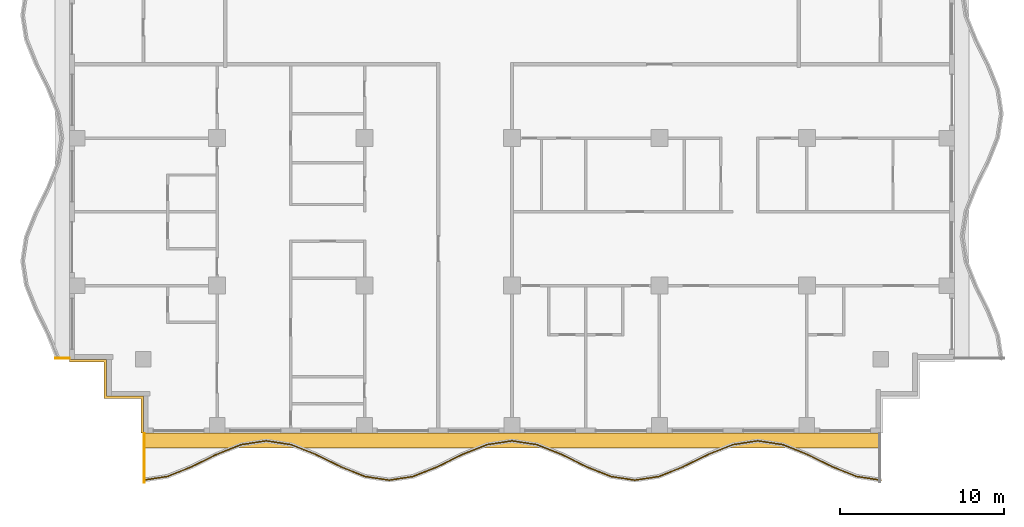
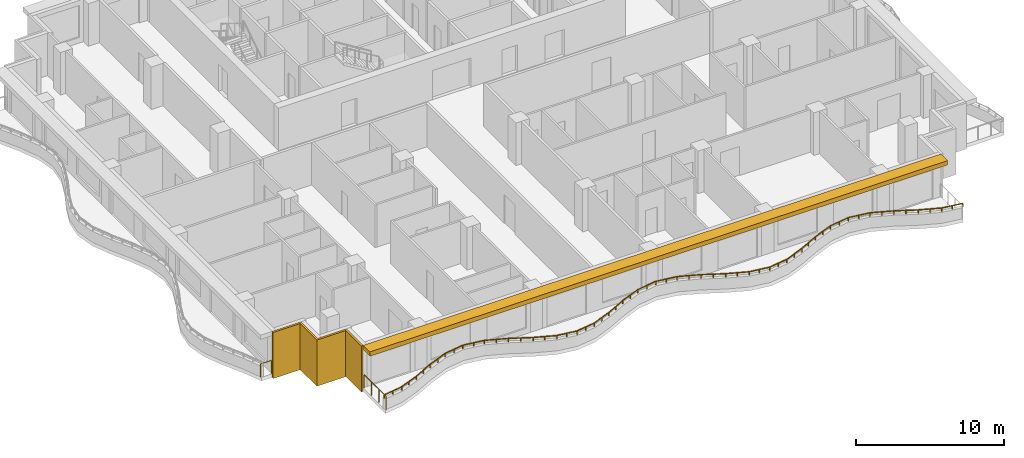
# One storey, part 8 of 11: 3 railings, 2 shading devices.
"""IFC4 building model written with IfcOpenShell, lengths in metres."""

from ifc_helpers import new_model, si_unit, direction, frame, origin, origin_2d, place, context, subcontext, project, spatial, polyline, rectangle, outline, extrude, material, layer, layer_set, type_object, element, save


model = new_model("IFC4")

# Units and contexts
model_context = context("Model", 3, precision=1e-05, world=origin(), true_north=direction((0.0, 1.0)))
body_context = subcontext(model_context, "Body", "Model", "MODEL_VIEW")
ifc_project = project(units=[si_unit("LENGTHUNIT", "METRE"), si_unit("AREAUNIT", "SQUARE_METRE"), si_unit("VOLUMEUNIT", "CUBIC_METRE"), si_unit("PLANEANGLEUNIT", "RADIAN"), si_unit("MASSUNIT", "GRAM", prefix="KILO")], contexts=[model_context])

# Site, building, storey
site_placement = place(None, origin())
site = spatial("IfcSite", under=ifc_project, at=site_placement, CompositionType="ELEMENT")
building_placement = place(site_placement, origin())
building = spatial("IfcBuilding", under=site, at=building_placement, Name="Orbiselva Terraces", CompositionType="ELEMENT")
storey_placement = place(building_placement, frame((0.0, 0.0, 218.6)))
storey = spatial("IfcBuildingStorey", under=building, at=storey_placement, Name="L55", CompositionType="ELEMENT", Elevation=218.6)

# Railings
ifc_material_1 = material(Name="Bonded two-ply safety glass balustrade, stainless steel posts", Category="steel")
railing_type_1 = type_object("IfcRailingType", Name="ENV-BALUSTRADE-1200", PredefinedType="BALUSTRADE", material=ifc_material_1)
railing_1_placement = place(storey_placement, frame((-22.518879, -25.376434, 0.9)))
element("IfcRailing", 1, at=railing_1_placement, inside=storey, type_object=railing_type_1, Name="Balcony balustrade L55 S", PredefinedType="BALUSTRADE", context=body_context, shape_type="SweptSolid", body=[
    extrude(outline(polyline([(0.028868, 0.0), (0.014434, 0.025), (-0.014434, 0.025), (-0.028868, 0.0), (-0.014434, -0.025), (0.014434, -0.025), (0.028868, 0.0)])), frame((0.0, 0.0, 0.275), z_axis=(0.988528552748, 0.151034103443, 0.0), x_axis=(-0.151034103443, 0.988528552748, 0.0)), (0.0, 0.0, 1.0), 1.503038),
    extrude(outline(polyline([(0.028868, 0.0), (0.014434, 0.025), (-0.014434, 0.025), (-0.028868, 0.0), (-0.014434, -0.025), (0.014434, -0.025), (0.028868, 0.0)])), frame((1.485796, 0.22701, 0.275), z_axis=(0.928476561272, 0.371391000387, 0.0), x_axis=(-0.371391000387, 0.928476561272, 0.0)), (0.0, 0.0, 1.0), 1.596261),
    extrude(outline(polyline([(0.028868, 0.0), (0.014434, 0.025), (-0.014434, 0.025), (-0.028868, 0.0), (-0.014434, -0.025), (0.014434, -0.025), (0.028868, 0.0)])), frame((2.967887, 0.819847, 0.275), z_axis=(0.896416672454, 0.443212307306, 0.0), x_axis=(-0.443212307306, 0.896416672454, 0.0)), (0.0, 0.0, 1.0), 1.673329),
    extrude(outline(polyline([(0.028868, 0.0), (0.014434, 0.025), (-0.014434, 0.025), (-0.028868, 0.0), (-0.014434, -0.025), (0.014434, -0.025), (0.028868, 0.0)])), frame((4.467887, 1.561487, 0.275), z_axis=(0.92847681744, 0.371390359967, 0.0), x_axis=(-0.371390359967, 0.92847681744, 0.0)), (0.0, 0.0, 1.0), 1.634838),
    extrude(outline(polyline([(0.028868, 0.0), (0.014434, 0.025), (-0.014434, 0.025), (-0.028868, 0.0), (-0.014434, -0.025), (0.014434, -0.025), (0.028868, 0.0)])), frame((5.985796, 2.16865, 0.275), z_axis=(0.988528536275, 0.151034211256, 0.0), x_axis=(-0.151034211256, 0.988528536275, 0.0)), (0.0, 0.0, 1.0), 1.550874),
    extrude(outline(polyline([(0.028868, 0.0), (0.014434, 0.025), (-0.014434, 0.025), (-0.028868, 0.0), (-0.014434, -0.025), (0.014434, -0.025), (0.028868, 0.0)])), frame((7.518879, 2.402885, 0.275), z_axis=(0.988528536275, -0.151034211256, 0.0), x_axis=(0.151034211256, 0.988528536275, 0.0)), (0.0, 0.0, 1.0), 1.550874),
    extrude(outline(polyline([(0.028868, 0.0), (0.014434, 0.025), (-0.014434, 0.025), (-0.028868, 0.0), (-0.014434, -0.025), (0.014434, -0.025), (0.028868, 0.0)])), frame((9.051962, 2.16865, 0.275), z_axis=(0.92847681744, -0.371390359967, 0.0), x_axis=(0.371390359967, 0.92847681744, 0.0)), (0.0, 0.0, 1.0), 1.634838),
    extrude(outline(polyline([(0.028868, 0.0), (0.014434, 0.025), (-0.014434, 0.025), (-0.028868, 0.0), (-0.014434, -0.025), (0.014434, -0.025), (0.028868, 0.0)])), frame((10.569871, 1.561487, 0.275), z_axis=(0.896416672454, -0.443212307306, 0.0), x_axis=(0.443212307306, 0.896416672454, 0.0)), (0.0, 0.0, 1.0), 1.673329),
    extrude(outline(polyline([(0.028868, 0.0), (0.014434, 0.025), (-0.014434, 0.025), (-0.028868, 0.0), (-0.014434, -0.025), (0.014434, -0.025), (0.028868, 0.0)])), frame((12.069871, 0.819847, 0.275), z_axis=(0.928476561272, -0.371391000387, 0.0), x_axis=(0.371391000387, 0.928476561272, 0.0)), (0.0, 0.0, 1.0), 1.596261),
    extrude(outline(polyline([(0.028868, 0.0), (0.014434, 0.025), (-0.014434, 0.025), (-0.028868, 0.0), (-0.014434, -0.025), (0.014434, -0.025), (0.028868, 0.0)])), frame((13.551962, 0.22701, 0.275), z_axis=(0.988528606898, -0.151033749027, 0.0), x_axis=(0.151033749027, 0.988528606898, 0.0)), (0.0, 0.0, 1.0), 1.48394),
    extrude(outline(polyline([(0.028868, 0.0), (0.014434, 0.025), (-0.014434, 0.025), (-0.028868, 0.0), (-0.014434, -0.025), (0.014434, -0.025), (0.028868, 0.0)])), frame((15.018879, 0.002885, 0.275), z_axis=(0.988528606898, 0.151033749027, 0.0), x_axis=(-0.151033749027, 0.988528606898, 0.0)), (0.0, 0.0, 1.0), 1.48394),
    extrude(outline(polyline([(0.028868, 0.0), (0.014434, 0.025), (-0.014434, 0.025), (-0.028868, 0.0), (-0.014434, -0.025), (0.014434, -0.025), (0.028868, 0.0)])), frame((16.485796, 0.22701, 0.275), z_axis=(0.928476561272, 0.371391000387, 0.0), x_axis=(-0.371391000387, 0.928476561272, 0.0)), (0.0, 0.0, 1.0), 1.596261),
    extrude(outline(polyline([(0.028868, 0.0), (0.014434, 0.025), (-0.014434, 0.025), (-0.028868, 0.0), (-0.014434, -0.025), (0.014434, -0.025), (0.028868, 0.0)])), frame((17.967887, 0.819847, 0.275), z_axis=(0.896416672454, 0.443212307306, 0.0), x_axis=(-0.443212307306, 0.896416672454, 0.0)), (0.0, 0.0, 1.0), 1.673329),
    extrude(outline(polyline([(0.028868, 0.0), (0.014434, 0.025), (-0.014434, 0.025), (-0.028868, 0.0), (-0.014434, -0.025), (0.014434, -0.025), (0.028868, 0.0)])), frame((19.467887, 1.561487, 0.275), z_axis=(0.92847681744, 0.371390359967, 0.0), x_axis=(-0.371390359967, 0.92847681744, 0.0)), (0.0, 0.0, 1.0), 1.634838),
    extrude(outline(polyline([(0.028868, 0.0), (0.014434, 0.025), (-0.014434, 0.025), (-0.028868, 0.0), (-0.014434, -0.025), (0.014434, -0.025), (0.028868, 0.0)])), frame((20.985796, 2.16865, 0.275), z_axis=(0.988528536275, 0.151034211256, 0.0), x_axis=(-0.151034211256, 0.988528536275, 0.0)), (0.0, 0.0, 1.0), 1.550874),
    extrude(outline(polyline([(0.028868, 0.0), (0.014434, 0.025), (-0.014434, 0.025), (-0.028868, 0.0), (-0.014434, -0.025), (0.014434, -0.025), (0.028868, 0.0)])), frame((22.518879, 2.402885, 0.275), z_axis=(0.988528536275, -0.151034211256, 0.0), x_axis=(0.151034211256, 0.988528536275, 0.0)), (0.0, 0.0, 1.0), 1.550874),
    extrude(outline(polyline([(0.028868, 0.0), (0.014434, 0.025), (-0.014434, 0.025), (-0.028868, 0.0), (-0.014434, -0.025), (0.014434, -0.025), (0.028868, 0.0)])), frame((24.051962, 2.16865, 0.275), z_axis=(0.92847681744, -0.371390359967, 0.0), x_axis=(0.371390359967, 0.92847681744, 0.0)), (0.0, 0.0, 1.0), 1.634838),
    extrude(outline(polyline([(0.028868, 0.0), (0.014434, 0.025), (-0.014434, 0.025), (-0.028868, 0.0), (-0.014434, -0.025), (0.014434, -0.025), (0.028868, 0.0)])), frame((25.569871, 1.561487, 0.275), z_axis=(0.896416672454, -0.443212307306, 0.0), x_axis=(0.443212307306, 0.896416672454, 0.0)), (0.0, 0.0, 1.0), 1.673329),
    extrude(outline(polyline([(0.028868, 0.0), (0.014434, 0.025), (-0.014434, 0.025), (-0.028868, 0.0), (-0.014434, -0.025), (0.014434, -0.025), (0.028868, 0.0)])), frame((27.069871, 0.819847, 0.275), z_axis=(0.928476561272, -0.371391000387, 0.0), x_axis=(0.371391000387, 0.928476561272, 0.0)), (0.0, 0.0, 1.0), 1.596261),
    extrude(outline(polyline([(0.028868, 0.0), (0.014434, 0.025), (-0.014434, 0.025), (-0.028868, 0.0), (-0.014434, -0.025), (0.014434, -0.025), (0.028868, 0.0)])), frame((28.551962, 0.22701, 0.275), z_axis=(0.988528606898, -0.151033749027, 0.0), x_axis=(0.151033749027, 0.988528606898, 0.0)), (0.0, 0.0, 1.0), 1.48394),
    extrude(outline(polyline([(0.028868, 0.0), (0.014434, 0.025), (-0.014434, 0.025), (-0.028868, 0.0), (-0.014434, -0.025), (0.014434, -0.025), (0.028868, 0.0)])), frame((30.018879, 0.002885, 0.275), z_axis=(0.988528606898, 0.151033749027, 0.0), x_axis=(-0.151033749027, 0.988528606898, 0.0)), (0.0, 0.0, 1.0), 1.48394),
    extrude(outline(polyline([(0.028868, 0.0), (0.014434, 0.025), (-0.014434, 0.025), (-0.028868, 0.0), (-0.014434, -0.025), (0.014434, -0.025), (0.028868, 0.0)])), frame((31.485796, 0.22701, 0.275), z_axis=(0.928476561272, 0.371391000387, 0.0), x_axis=(-0.371391000387, 0.928476561272, 0.0)), (0.0, 0.0, 1.0), 1.596261),
    extrude(outline(polyline([(0.028868, 0.0), (0.014434, 0.025), (-0.014434, 0.025), (-0.028868, 0.0), (-0.014434, -0.025), (0.014434, -0.025), (0.028868, 0.0)])), frame((32.967887, 0.819847, 0.275), z_axis=(0.896416672454, 0.443212307306, 0.0), x_axis=(-0.443212307306, 0.896416672454, 0.0)), (0.0, 0.0, 1.0), 1.673329),
    extrude(outline(polyline([(0.028868, 0.0), (0.014434, 0.025), (-0.014434, 0.025), (-0.028868, 0.0), (-0.014434, -0.025), (0.014434, -0.025), (0.028868, 0.0)])), frame((34.467887, 1.561487, 0.275), z_axis=(0.92847681744, 0.371390359967, 0.0), x_axis=(-0.371390359967, 0.92847681744, 0.0)), (0.0, 0.0, 1.0), 1.634838),
    extrude(outline(polyline([(0.028868, 0.0), (0.014434, 0.025), (-0.014434, 0.025), (-0.028868, 0.0), (-0.014434, -0.025), (0.014434, -0.025), (0.028868, 0.0)])), frame((35.985796, 2.16865, 0.275), z_axis=(0.988528536275, 0.151034211256, 0.0), x_axis=(-0.151034211256, 0.988528536275, 0.0)), (0.0, 0.0, 1.0), 1.550874),
    extrude(outline(polyline([(0.028868, 0.0), (0.014434, 0.025), (-0.014434, 0.025), (-0.028868, 0.0), (-0.014434, -0.025), (0.014434, -0.025), (0.028868, 0.0)])), frame((37.518879, 2.402885, 0.275), z_axis=(0.988528536275, -0.151034211256, 0.0), x_axis=(0.151034211256, 0.988528536275, 0.0)), (0.0, 0.0, 1.0), 1.550874),
    extrude(outline(polyline([(0.028868, 0.0), (0.014434, 0.025), (-0.014434, 0.025), (-0.028868, 0.0), (-0.014434, -0.025), (0.014434, -0.025), (0.028868, 0.0)])), frame((39.051962, 2.16865, 0.275), z_axis=(0.92847681744, -0.371390359967, 0.0), x_axis=(0.371390359967, 0.92847681744, 0.0)), (0.0, 0.0, 1.0), 1.634838),
    extrude(outline(polyline([(0.028868, 0.0), (0.014434, 0.025), (-0.014434, 0.025), (-0.028868, 0.0), (-0.014434, -0.025), (0.014434, -0.025), (0.028868, 0.0)])), frame((40.569871, 1.561487, 0.275), z_axis=(0.896416672454, -0.443212307306, 0.0), x_axis=(0.443212307306, 0.896416672454, 0.0)), (0.0, 0.0, 1.0), 1.673329),
    extrude(outline(polyline([(0.028868, 0.0), (0.014434, 0.025), (-0.014434, 0.025), (-0.028868, 0.0), (-0.014434, -0.025), (0.014434, -0.025), (0.028868, 0.0)])), frame((42.069871, 0.819847, 0.275), z_axis=(0.928476561272, -0.371391000387, 0.0), x_axis=(0.371391000387, 0.928476561272, 0.0)), (0.0, 0.0, 1.0), 1.596261),
    extrude(outline(polyline([(0.028868, 0.0), (0.014434, 0.025), (-0.014434, 0.025), (-0.028868, 0.0), (-0.014434, -0.025), (0.014434, -0.025), (0.028868, 0.0)])), frame((43.551962, 0.22701, 0.275), z_axis=(0.988528552748, -0.151034103443, 0.0), x_axis=(0.151034103443, 0.988528552748, 0.0)), (0.0, 0.0, 1.0), 1.503038),
    extrude(rectangle(XDim=0.05, YDim=0.05, at=origin_2d()), origin(), (0.0, 0.0, 1.0), 0.25),
    extrude(rectangle(XDim=0.05, YDim=0.05, at=origin_2d()), frame((0.742898, 0.113505, 0.0)), (0.0, 0.0, 1.0), 0.25),
    extrude(rectangle(XDim=0.05, YDim=0.05, at=origin_2d()), frame((1.485796, 0.22701, 0.0)), (0.0, 0.0, 1.0), 0.25),
    extrude(rectangle(XDim=0.05, YDim=0.05, at=origin_2d()), frame((2.226841, 0.523428, 0.0)), (0.0, 0.0, 1.0), 0.25),
    extrude(rectangle(XDim=0.05, YDim=0.05, at=origin_2d()), frame((2.967887, 0.819847, 0.0)), (0.0, 0.0, 1.0), 0.25),
    extrude(rectangle(XDim=0.05, YDim=0.05, at=origin_2d()), frame((3.717887, 1.190667, 0.0)), (0.0, 0.0, 1.0), 0.25),
    extrude(rectangle(XDim=0.05, YDim=0.05, at=origin_2d()), frame((4.467887, 1.561487, 0.0)), (0.0, 0.0, 1.0), 0.25),
    extrude(rectangle(XDim=0.05, YDim=0.05, at=origin_2d()), frame((5.226841, 1.865068, 0.0)), (0.0, 0.0, 1.0), 0.25),
    extrude(rectangle(XDim=0.05, YDim=0.05, at=origin_2d()), frame((5.985796, 2.16865, 0.0)), (0.0, 0.0, 1.0), 0.25),
    extrude(rectangle(XDim=0.05, YDim=0.05, at=origin_2d()), frame((6.752337, 2.285768, 0.0)), (0.0, 0.0, 1.0), 0.25),
    extrude(rectangle(XDim=0.05, YDim=0.05, at=origin_2d()), frame((7.518879, 2.402885, 0.0)), (0.0, 0.0, 1.0), 0.25),
    extrude(rectangle(XDim=0.05, YDim=0.05, at=origin_2d()), frame((8.28542, 2.285768, 0.0)), (0.0, 0.0, 1.0), 0.25),
    extrude(rectangle(XDim=0.05, YDim=0.05, at=origin_2d()), frame((9.051962, 2.16865, 0.0)), (0.0, 0.0, 1.0), 0.25),
    extrude(rectangle(XDim=0.05, YDim=0.05, at=origin_2d()), frame((9.810916, 1.865068, 0.0)), (0.0, 0.0, 1.0), 0.25),
    extrude(rectangle(XDim=0.05, YDim=0.05, at=origin_2d()), frame((10.569871, 1.561487, 0.0)), (0.0, 0.0, 1.0), 0.25),
    extrude(rectangle(XDim=0.05, YDim=0.05, at=origin_2d()), frame((11.319871, 1.190667, 0.0)), (0.0, 0.0, 1.0), 0.25),
    extrude(rectangle(XDim=0.05, YDim=0.05, at=origin_2d()), frame((12.069871, 0.819847, 0.0)), (0.0, 0.0, 1.0), 0.25),
    extrude(rectangle(XDim=0.05, YDim=0.05, at=origin_2d()), frame((12.810916, 0.523428, 0.0)), (0.0, 0.0, 1.0), 0.25),
    extrude(rectangle(XDim=0.05, YDim=0.05, at=origin_2d()), frame((13.551962, 0.22701, 0.0)), (0.0, 0.0, 1.0), 0.25),
    extrude(rectangle(XDim=0.05, YDim=0.05, at=origin_2d()), frame((14.28542, 0.114947, 0.0)), (0.0, 0.0, 1.0), 0.25),
    extrude(rectangle(XDim=0.05, YDim=0.05, at=origin_2d()), frame((15.018879, 0.002885, 0.0)), (0.0, 0.0, 1.0), 0.25),
    extrude(rectangle(XDim=0.05, YDim=0.05, at=origin_2d()), frame((15.752337, 0.114947, 0.0)), (0.0, 0.0, 1.0), 0.25),
    extrude(rectangle(XDim=0.05, YDim=0.05, at=origin_2d()), frame((16.485796, 0.22701, 0.0)), (0.0, 0.0, 1.0), 0.25),
    extrude(rectangle(XDim=0.05, YDim=0.05, at=origin_2d()), frame((17.226842, 0.523428, 0.0)), (0.0, 0.0, 1.0), 0.25),
    extrude(rectangle(XDim=0.05, YDim=0.05, at=origin_2d()), frame((17.967887, 0.819847, 0.0)), (0.0, 0.0, 1.0), 0.25),
    extrude(rectangle(XDim=0.05, YDim=0.05, at=origin_2d()), frame((18.717887, 1.190667, 0.0)), (0.0, 0.0, 1.0), 0.25),
    extrude(rectangle(XDim=0.05, YDim=0.05, at=origin_2d()), frame((19.467887, 1.561487, 0.0)), (0.0, 0.0, 1.0), 0.25),
    extrude(rectangle(XDim=0.05, YDim=0.05, at=origin_2d()), frame((20.226842, 1.865068, 0.0)), (0.0, 0.0, 1.0), 0.25),
    extrude(rectangle(XDim=0.05, YDim=0.05, at=origin_2d()), frame((20.985796, 2.16865, 0.0)), (0.0, 0.0, 1.0), 0.25),
    extrude(rectangle(XDim=0.05, YDim=0.05, at=origin_2d()), frame((21.752337, 2.285768, 0.0)), (0.0, 0.0, 1.0), 0.25),
    extrude(rectangle(XDim=0.05, YDim=0.05, at=origin_2d()), frame((22.518879, 2.402885, 0.0)), (0.0, 0.0, 1.0), 0.25),
    extrude(rectangle(XDim=0.05, YDim=0.05, at=origin_2d()), frame((23.28542, 2.285768, 0.0)), (0.0, 0.0, 1.0), 0.25),
    extrude(rectangle(XDim=0.05, YDim=0.05, at=origin_2d()), frame((24.051962, 2.16865, 0.0)), (0.0, 0.0, 1.0), 0.25),
    extrude(rectangle(XDim=0.05, YDim=0.05, at=origin_2d()), frame((24.810916, 1.865068, 0.0)), (0.0, 0.0, 1.0), 0.25),
    extrude(rectangle(XDim=0.05, YDim=0.05, at=origin_2d()), frame((25.569871, 1.561487, 0.0)), (0.0, 0.0, 1.0), 0.25),
    extrude(rectangle(XDim=0.05, YDim=0.05, at=origin_2d()), frame((26.319871, 1.190667, 0.0)), (0.0, 0.0, 1.0), 0.25),
    extrude(rectangle(XDim=0.05, YDim=0.05, at=origin_2d()), frame((27.069871, 0.819847, 0.0)), (0.0, 0.0, 1.0), 0.25),
    extrude(rectangle(XDim=0.05, YDim=0.05, at=origin_2d()), frame((27.810916, 0.523428, 0.0)), (0.0, 0.0, 1.0), 0.25),
    extrude(rectangle(XDim=0.05, YDim=0.05, at=origin_2d()), frame((28.551962, 0.22701, 0.0)), (0.0, 0.0, 1.0), 0.25),
    extrude(rectangle(XDim=0.05, YDim=0.05, at=origin_2d()), frame((29.28542, 0.114947, 0.0)), (0.0, 0.0, 1.0), 0.25),
    extrude(rectangle(XDim=0.05, YDim=0.05, at=origin_2d()), frame((30.018879, 0.002885, 0.0)), (0.0, 0.0, 1.0), 0.25),
    extrude(rectangle(XDim=0.05, YDim=0.05, at=origin_2d()), frame((30.752338, 0.114947, 0.0)), (0.0, 0.0, 1.0), 0.25),
    extrude(rectangle(XDim=0.05, YDim=0.05, at=origin_2d()), frame((31.485796, 0.22701, 0.0)), (0.0, 0.0, 1.0), 0.25),
    extrude(rectangle(XDim=0.05, YDim=0.05, at=origin_2d()), frame((32.226842, 0.523428, 0.0)), (0.0, 0.0, 1.0), 0.25),
    extrude(rectangle(XDim=0.05, YDim=0.05, at=origin_2d()), frame((32.967887, 0.819847, 0.0)), (0.0, 0.0, 1.0), 0.25),
    extrude(rectangle(XDim=0.05, YDim=0.05, at=origin_2d()), frame((33.717887, 1.190667, 0.0)), (0.0, 0.0, 1.0), 0.25),
    extrude(rectangle(XDim=0.05, YDim=0.05, at=origin_2d()), frame((34.467887, 1.561487, 0.0)), (0.0, 0.0, 1.0), 0.25),
    extrude(rectangle(XDim=0.05, YDim=0.05, at=origin_2d()), frame((35.226842, 1.865068, 0.0)), (0.0, 0.0, 1.0), 0.25),
    extrude(rectangle(XDim=0.05, YDim=0.05, at=origin_2d()), frame((35.985796, 2.16865, 0.0)), (0.0, 0.0, 1.0), 0.25),
    extrude(rectangle(XDim=0.05, YDim=0.05, at=origin_2d()), frame((36.752337, 2.285768, 0.0)), (0.0, 0.0, 1.0), 0.25),
    extrude(rectangle(XDim=0.05, YDim=0.05, at=origin_2d()), frame((37.518879, 2.402885, 0.0)), (0.0, 0.0, 1.0), 0.25),
    extrude(rectangle(XDim=0.05, YDim=0.05, at=origin_2d()), frame((38.28542, 2.285768, 0.0)), (0.0, 0.0, 1.0), 0.25),
    extrude(rectangle(XDim=0.05, YDim=0.05, at=origin_2d()), frame((39.051962, 2.16865, 0.0)), (0.0, 0.0, 1.0), 0.25),
    extrude(rectangle(XDim=0.05, YDim=0.05, at=origin_2d()), frame((39.810917, 1.865068, 0.0)), (0.0, 0.0, 1.0), 0.25),
    extrude(rectangle(XDim=0.05, YDim=0.05, at=origin_2d()), frame((40.569871, 1.561487, 0.0)), (0.0, 0.0, 1.0), 0.25),
    extrude(rectangle(XDim=0.05, YDim=0.05, at=origin_2d()), frame((41.319871, 1.190667, 0.0)), (0.0, 0.0, 1.0), 0.25),
    extrude(rectangle(XDim=0.05, YDim=0.05, at=origin_2d()), frame((42.069871, 0.819847, 0.0)), (0.0, 0.0, 1.0), 0.25),
    extrude(rectangle(XDim=0.05, YDim=0.05, at=origin_2d()), frame((42.810917, 0.523428, 0.0)), (0.0, 0.0, 1.0), 0.25),
    extrude(rectangle(XDim=0.05, YDim=0.05, at=origin_2d()), frame((43.551962, 0.22701, 0.0)), (0.0, 0.0, 1.0), 0.25),
    extrude(rectangle(XDim=0.05, YDim=0.05, at=origin_2d()), frame((44.29486, 0.113505, 0.0)), (0.0, 0.0, 1.0), 0.25),
    extrude(rectangle(XDim=0.05, YDim=0.05, at=origin_2d()), frame((45.037758, 0.0, 0.0)), (0.0, 0.0, 1.0), 0.25),
])
ifc_material_2 = material(Name="Stainless steel rail and posts", Category="steel")
railing_type_2 = type_object("IfcRailingType", Name="ENV-GUARD-1105", PredefinedType="BALUSTRADE", material=ifc_material_2)
railing_2_placement = place(storey_placement, frame((-22.44, -25.499621, 0.0)))
element("IfcRailing", 2, at=railing_2_placement, inside=storey, type_object=railing_type_2, Name="Balcony end guard L55 S", PredefinedType="BALUSTRADE", context=body_context, shape_type="SweptSolid", body=[
    extrude(outline(polyline([(0.028868, 0.0), (0.014434, 0.025), (-0.014434, 0.025), (-0.028868, 0.0), (-0.014434, -0.025), (0.014434, -0.025), (0.028868, 0.0)])), frame((0.0, 0.0, 1.08), z_axis=(0.0, 1.0, 0.0), x_axis=(-1.0, 0.0, 0.0)), (0.0, 0.0, 1.0), 2.974621),
    extrude(rectangle(XDim=0.05, YDim=0.05, at=origin_2d()), origin(), (0.0, 0.0, 1.0), 1.055),
    extrude(rectangle(XDim=0.05, YDim=0.05, at=origin_2d()), frame((0.0, 0.99154, 0.0)), (0.0, 0.0, 1.0), 1.055),
    extrude(rectangle(XDim=0.05, YDim=0.05, at=origin_2d()), frame((0.0, 1.983081, 0.0)), (0.0, 0.0, 1.0), 1.055),
    extrude(rectangle(XDim=0.05, YDim=0.05, at=origin_2d()), frame((0.0, 2.974621, 0.0)), (0.0, 0.0, 1.0), 1.055),
])
railing_3_placement = place(storey_placement, frame((-27.847212, -17.94, 0.0)))
element("IfcRailing", 3, at=railing_3_placement, inside=storey, type_object=railing_type_2, Name="Balcony end guard L55 W", PredefinedType="BALUSTRADE", context=body_context, shape_type="SweptSolid", body=[
    extrude(outline(polyline([(0.028868, 0.0), (0.014434, 0.025), (-0.014434, 0.025), (-0.028868, 0.0), (-0.014434, -0.025), (0.014434, -0.025), (0.028868, 0.0)])), frame((0.0, 0.0, 1.08), z_axis=(1.0, 0.0, 0.0), x_axis=(0.0, 1.0, 0.0)), (0.0, 0.0, 1.0), 0.822212),
    extrude(rectangle(XDim=0.05, YDim=0.05, at=origin_2d()), origin(), (0.0, 0.0, 1.0), 1.055),
    extrude(rectangle(XDim=0.05, YDim=0.05, at=origin_2d()), frame((0.822212, 0.0, 0.0)), (0.0, 0.0, 1.0), 1.055),
])

# Shading devices
ifc_material_3 = material(Name="Terracotta louvre screen", Category="masonry")
ifc_layer_1 = layer(ifc_material_3, 0.15)
ifc_layer_set_1 = layer_set([ifc_layer_1], Name="Terracotta louvre screen")
shading_device_type_1 = type_object("IfcShadingDeviceType", Name="ENV-SCREEN-150", PredefinedType="USERDEFINED", material=ifc_layer_set_1)
shading_device_1_placement = place(storey_placement, frame((0.0, 0.0, -0.3)))
element("IfcShadingDevice", 4, at=shading_device_1_placement, inside=storey, type_object=shading_device_type_1, Name="Louvre screen L55 SW", ObjectType="SCREEN", PredefinedType="USERDEFINED", context=body_context, shape_type="SweptSolid", body=[
    extrude(outline(polyline([(-27.0, -18.15), (-24.9, -18.15), (-24.9, -20.4), (-22.65, -20.4), (-22.65, -22.5), (-22.5, -22.5), (-22.5, -20.25), (-24.75, -20.25), (-24.75, -18.0), (-27.0, -18.0), (-27.0, -18.15)])), origin(), (0.0, 0.0, 1.0), 3.8),
])
ifc_material_4 = material(Name="Terracotta baguette sunshade", Category="masonry")
ifc_layer_2 = layer(ifc_material_4, 0.35)
ifc_layer_set_2 = layer_set([ifc_layer_2], Name="Terracotta baguette sunshade")
shading_device_type_2 = type_object("IfcShadingDeviceType", Name="ENV-SUNSHADE-900x350", PredefinedType="USERDEFINED", material=ifc_layer_set_2)
shading_device_2_placement = place(storey_placement, frame((0.0, 0.0, 3.15)))
element("IfcShadingDevice", 5, at=shading_device_2_placement, inside=storey, type_object=shading_device_type_2, Name="Sunshade band L55 S", ObjectType="SUNSHADE", PredefinedType="USERDEFINED", context=body_context, shape_type="SweptSolid", body=[
    extrude(outline(polyline([(-22.5, -23.4), (22.5, -23.4), (22.5, -22.5), (-22.5, -22.5), (-22.5, -23.4)])), origin(), (0.0, 0.0, 1.0), 0.35),
])

save(model, "model.ifc")
